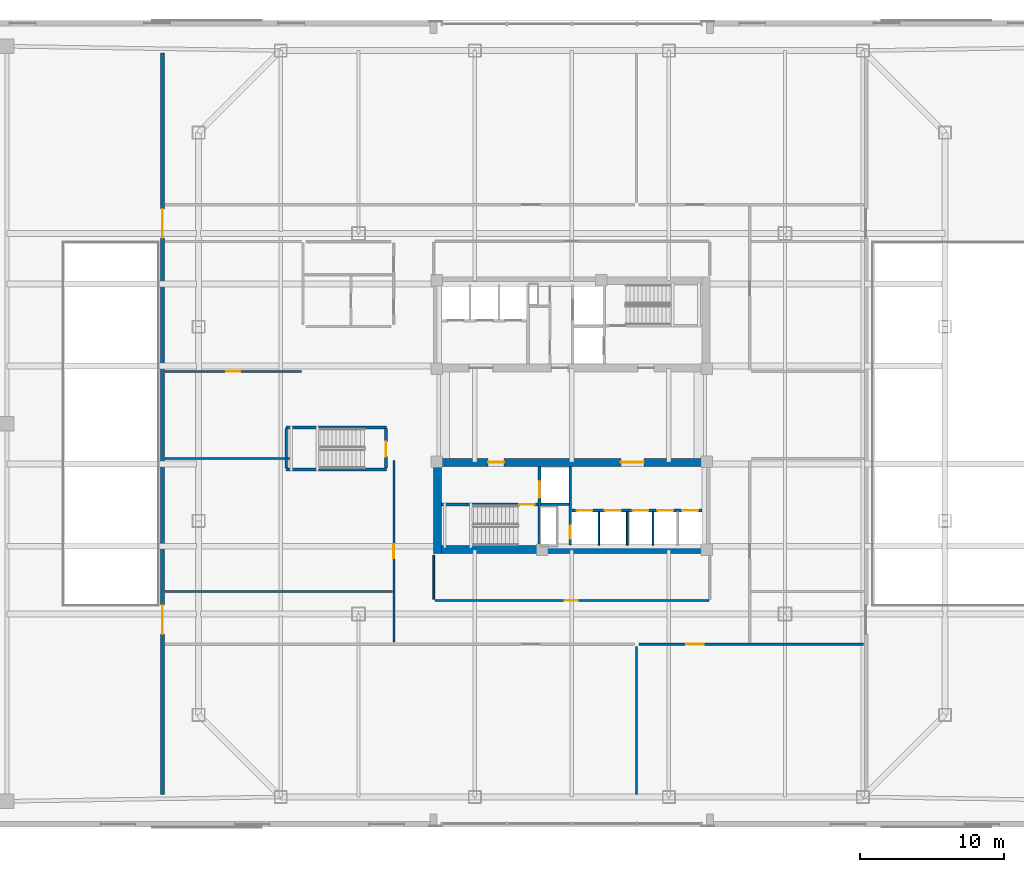
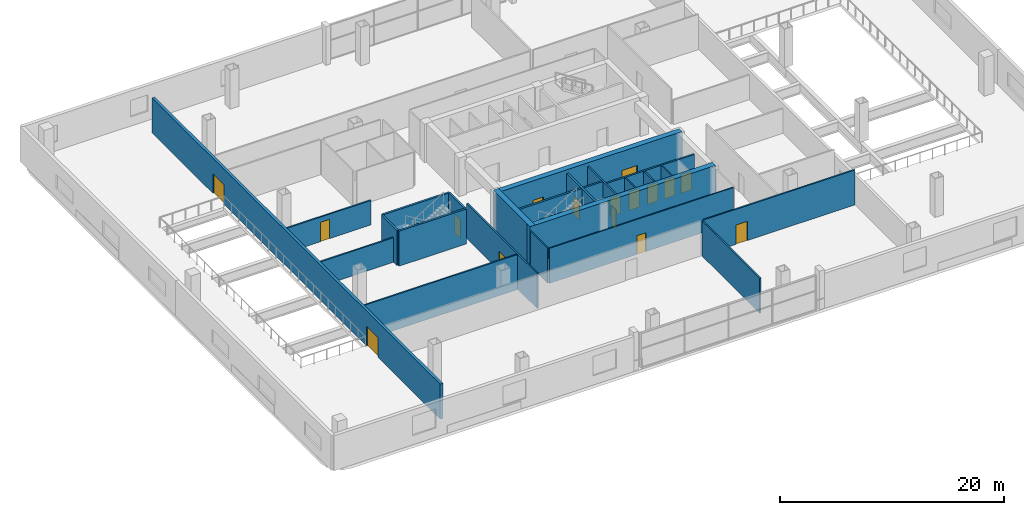
# One storey, part 12 of 21: 24 walls, 17 doors, 17 openings.
"""IFC4 building model written with IfcOpenShell, lengths in metres."""

from ifc_helpers import new_model, si_unit, direction, frame, frame_2d, origin, place, context, subcontext, project, spatial, rectangle, extrude, material, layer, layer_set, type_object, element, fill, save


model = new_model("IFC4")

# Units and contexts
model_context = context("Model", 3, precision=1e-05, world=origin(), true_north=direction((0.0, 1.0)))
body_context = subcontext(model_context, "Body", "Model", "MODEL_VIEW")
ifc_project = project(units=[si_unit("LENGTHUNIT", "METRE"), si_unit("AREAUNIT", "SQUARE_METRE"), si_unit("VOLUMEUNIT", "CUBIC_METRE"), si_unit("PLANEANGLEUNIT", "RADIAN"), si_unit("MASSUNIT", "GRAM", prefix="KILO")], contexts=[model_context])

# Site, building, storey
site_placement = place(None, origin())
site = spatial("IfcSite", under=ifc_project, at=site_placement, CompositionType="ELEMENT")
building_placement = place(site_placement, origin())
building = spatial("IfcBuilding", under=site, at=building_placement, Name="Qhalaya Broadcast Tower", CompositionType="ELEMENT")
storey_placement = place(building_placement, frame((0.0, 0.0, 17.699951171875)))
storey = spatial("IfcBuildingStorey", under=building, at=storey_placement, Name="L04", CompositionType="ELEMENT", Elevation=17.699951171875)

# Wall, opening, door
ifc_material_1 = material(Name="Gypsum Acoustic Partition")
ifc_layer_1 = layer(ifc_material_1, 0.14990234375, Name="Gypsum Acoustic Partition")
ifc_layer_set_1 = layer_set([ifc_layer_1], Name="Gypsum Acoustic Partition")
wall_type_1 = type_object("IfcWallType", Name="Corridor & Tenancy Acoustic Partition 150", PredefinedType="PARTITIONING", material=ifc_layer_set_1)
wall_1_placement = place(storey_placement, frame((4.659912109375, -15.300048828125, 0.0), z_axis=(0.0, 0.0, 1.0), x_axis=(1.0, 0.0, 0.0)))
wall_1 = element("IfcWall", 1, at=wall_1_placement, inside=storey, type_object=wall_type_1, Name="L04 Partition Wall W-STS1R", PredefinedType="PARTITIONING", context=body_context, shape_type="SweptSolid", body=[
    extrude(rectangle(XDim=15.580078125, YDim=0.14990234375, at=frame_2d((7.7900390625, 0.0))), origin(), (0.0, 0.0, 1.0), 3.820068359375),
])
opening_1_placement = place(wall_1_placement, frame((3.294921875, 0.0, 0.0)))
opening_1 = element("IfcOpeningElement", 2, at=opening_1_placement, cuts=wall_1, Name="Opening D11", PredefinedType="OPENING", context=body_context, shape_type="SweptSolid", body=[
    extrude(rectangle(XDim=1.199951171875, YDim=2.10009765625, at=frame_2d((0.60009765625, 1.050048828125))), frame((0.0, 0.0869140625, 0.0), z_axis=(0.0, -1.0, 0.0), x_axis=(1.0, 0.0, 0.0)), (0.0, 0.0, 1.0), 0.173828125),
])
ifc_material_2 = material(Name="Anodised Aluminium Glazed Door", Category="aluminium")
door_type_1 = type_object("IfcDoorType", Name="Conference, Boardroom & Studio Control Door D11", OperationType="NOTDEFINED", PredefinedType="DOOR", material=ifc_material_2)
door_1_placement = place(opening_1_placement, origin())
door_1 = element("IfcDoor", 3, at=door_1_placement, inside=storey, type_object=door_type_1, Name="L04 Door D-STS2", OperationType="SINGLE_SWING_LEFT", OverallHeight=2.10009765625, OverallWidth=1.199951171875, PredefinedType="DOOR", context=body_context, shape_type="SweptSolid", body=[
    extrude(rectangle(XDim=1.199951171875, YDim=2.10009765625, at=frame_2d((0.60009765625, 1.050048828125))), frame((0.0, 0.02490234375, 0.0), z_axis=(0.0, -1.0, 0.0), x_axis=(1.0, 0.0, 0.0)), (0.0, 0.0, 1.0), 0.050048828125),
])
fill(opening_1, door_1)

# Wall
wall_2_placement = place(storey_placement, frame((4.5, -25.739990234375, 0.0), z_axis=(0.0, 0.0, 1.0), x_axis=(0.0, 1.0, 0.0)))
element("IfcWall", 4, at=wall_2_placement, inside=storey, type_object=wall_type_1, Name="L04 Partition Wall W-STMS", PredefinedType="PARTITIONING", context=body_context, shape_type="SweptSolid", body=[
    extrude(rectangle(XDim=10.280029296875, YDim=0.14990234375, at=frame_2d((5.14013671875, 0.0))), origin(), (0.0, 0.0, 1.0), 3.820068359375),
])

# Wall, opening, door
wall_3_placement = place(storey_placement, frame((-12.35009765625, -15.139892578125, 0.0), z_axis=(0.0, 0.0, 1.0), x_axis=(0.0, 1.0, 0.0)))
wall_3 = element("IfcWall", 5, at=wall_3_placement, inside=storey, type_object=wall_type_1, Name="L04 Partition Wall W-STPW", PredefinedType="PARTITIONING", context=body_context, shape_type="SweptSolid", body=[
    extrude(rectangle(XDim=12.579833984375, YDim=0.14990234375, at=frame_2d((6.2900390625, 0.0))), origin(), (0.0, 0.0, 1.0), 3.820068359375),
])
opening_2_placement = place(wall_3_placement, frame((5.81494140625, 0.0, 0.0)))
opening_2 = element("IfcOpeningElement", 6, at=opening_2_placement, cuts=wall_3, Name="Opening D10", PredefinedType="OPENING", context=body_context, shape_type="SweptSolid", body=[
    extrude(rectangle(XDim=0.949951171875, YDim=2.10009765625, at=frame_2d((0.47509765625, 1.050048828125))), frame((0.0, 0.0869140625, 0.0), z_axis=(0.0, -1.0, 0.0), x_axis=(1.0, 0.0, 0.0)), (0.0, 0.0, 1.0), 0.173828125),
])
ifc_material_3 = material(Name="Timber Veneer Acoustic Door", Category="wood")
door_type_2 = type_object("IfcDoorType", Name="Cellular Office & Edit Booth Door D10", OperationType="NOTDEFINED", PredefinedType="DOOR", material=ifc_material_3)
door_2_placement = place(opening_2_placement, origin())
door_2 = element("IfcDoor", 7, at=door_2_placement, inside=storey, type_object=door_type_2, Name="L04 Door D-STPW", OperationType="SINGLE_SWING_LEFT", OverallHeight=2.10009765625, OverallWidth=0.949951171875, PredefinedType="DOOR", context=body_context, shape_type="SweptSolid", body=[
    extrude(rectangle(XDim=0.949951171875, YDim=2.10009765625, at=frame_2d((0.47509765625, 1.050048828125))), frame((0.0, 0.02490234375, 0.0), z_axis=(0.0, -1.0, 0.0), x_axis=(1.0, 0.0, 0.0)), (0.0, 0.0, 1.0), 0.050048828125),
])
fill(opening_2, door_2)

# Walls
wall_4_placement = place(storey_placement, frame((-28.239990234375, -2.419921875, 0.0), z_axis=(0.0, 0.0, 1.0), x_axis=(1.0, 0.0, 0.0)))
element("IfcWall", 8, at=wall_4_placement, inside=storey, type_object=wall_type_1, Name="L04 Partition Wall W-STPW2", PredefinedType="PARTITIONING", context=body_context, shape_type="SweptSolid", body=[
    extrude(rectangle(XDim=8.72998046875, YDim=0.14990234375, at=frame_2d((4.364990234375, 0.0))), origin(), (0.0, 0.0, 1.0), 2.68212890625),
])
wall_5_placement = place(storey_placement, frame((-28.239990234375, -11.64990234375, 0.0), z_axis=(0.0, 0.0, 1.0), x_axis=(1.0, 0.0, 0.0)))
element("IfcWall", 9, at=wall_5_placement, inside=storey, type_object=wall_type_1, Name="L04 Partition Wall W-GAL-SW", PredefinedType="PARTITIONING", context=body_context, shape_type="SweptSolid", body=[
    extrude(rectangle(XDim=15.780029296875, YDim=0.14990234375, at=frame_2d((7.89013671875, 0.0))), origin(), (0.0, 0.0, 1.0), 3.820068359375),
])

# Wall, opening, door
wall_6_placement = place(storey_placement, frame((-28.239990234375, 3.6201171875, 0.0), z_axis=(0.0, 0.0, 1.0), x_axis=(1.0, 0.0, 0.0)))
wall_6 = element("IfcWall", 10, at=wall_6_placement, inside=storey, type_object=wall_type_1, Name="L04 Partition Wall W-STPW3", PredefinedType="PARTITIONING", context=body_context, shape_type="SweptSolid", body=[
    extrude(rectangle(XDim=9.47998046875, YDim=0.14990234375, at=frame_2d((4.739990234375, 0.0))), origin(), (0.0, 0.0, 1.0), 2.68212890625),
])
opening_3_placement = place(wall_6_placement, frame((4.264892578125, 0.0, 0.0)))
opening_3 = element("IfcOpeningElement", 11, at=opening_3_placement, cuts=wall_6, Name="Opening D10", PredefinedType="OPENING", context=body_context, shape_type="SweptSolid", body=[
    extrude(rectangle(XDim=0.949951171875, YDim=2.10009765625, at=frame_2d((0.47509765625, 1.050048828125))), frame((0.0, 0.0869140625, 0.0), z_axis=(0.0, -1.0, 0.0), x_axis=(1.0, 0.0, 0.0)), (0.0, 0.0, 1.0), 0.173828125),
])
door_3_placement = place(opening_3_placement, origin())
door_3 = element("IfcDoor", 12, at=door_3_placement, inside=storey, type_object=door_type_2, Name="L04 Door D-STPW3", OperationType="SINGLE_SWING_RIGHT", OverallHeight=2.10009765625, OverallWidth=0.949951171875, PredefinedType="DOOR", context=body_context, shape_type="SweptSolid", body=[
    extrude(rectangle(XDim=0.949951171875, YDim=2.10009765625, at=frame_2d((0.47509765625, 1.050048828125))), frame((0.0, 0.02490234375, 0.0), z_axis=(0.0, -1.0, 0.0), x_axis=(1.0, 0.0, 0.0)), (0.0, 0.0, 1.0), 0.050048828125),
])
fill(opening_3, door_3)

# Wall, openings, doors
ifc_layer_2 = layer(ifc_material_1, 0.280029296875, Name="Gypsum Acoustic Partition")
ifc_layer_set_2 = layer_set([ifc_layer_2], Name="Gypsum Acoustic Partition")
wall_type_2 = type_object("IfcWallType", Name="Double-Leaf Soundstage Acoustic Wall 280", PredefinedType="MOVABLE", material=ifc_layer_set_2)
wall_7_placement = place(storey_placement, frame((-28.39990234375, -25.739990234375, 0.0), z_axis=(0.0, 0.0, 1.0), x_axis=(0.0, 1.0, 0.0)))
wall_7 = element("IfcWall", 13, at=wall_7_placement, inside=storey, type_object=wall_type_2, Name="L04 Partition Wall W-STAW", PredefinedType="MOVABLE", context=body_context, shape_type="SweptSolid", body=[
    extrude(rectangle(XDim=51.47998046875, YDim=0.280029296875, at=frame_2d((25.739990234375, 0.0))), origin(), (0.0, 0.0, 1.0), 3.820068359375),
])
opening_4_placement = place(wall_7_placement, frame((11.14892578125, 0.0, 0.0)))
opening_4 = element("IfcOpeningElement", 14, at=opening_4_placement, cuts=wall_7, Name="Opening D08", PredefinedType="OPENING", context=body_context, shape_type="SweptSolid", body=[
    extrude(rectangle(XDim=2.0, YDim=2.139892578125, at=frame_2d((1.0, 1.06982421875))), frame((0.0, 0.152099609375, 0.0), z_axis=(0.0, -1.0, 0.0), x_axis=(1.0, 0.0, 0.0)), (0.0, 0.0, 1.0), 0.303955078125),
])
opening_5_placement = place(wall_7_placement, frame((38.639892578125, 0.0, 0.0)))
opening_5 = element("IfcOpeningElement", 15, at=opening_5_placement, cuts=wall_7, Name="Opening D08", PredefinedType="OPENING", context=body_context, shape_type="SweptSolid", body=[
    extrude(rectangle(XDim=2.0, YDim=2.139892578125, at=frame_2d((1.0, 1.06982421875))), frame((0.0, 0.152099609375, 0.0), z_axis=(0.0, -1.0, 0.0), x_axis=(1.0, 0.0, 0.0)), (0.0, 0.0, 1.0), 0.303955078125),
])
ifc_material_4 = material(Name="Acoustic Studio Isolation Steel Door", Category="steel")
door_type_3 = type_object("IfcDoorType", Name="Soundstage Acoustic Isolation Double Door D08", OperationType="DOUBLE_DOOR_SINGLE_SWING", PredefinedType="DOOR", material=ifc_material_4)
door_4_placement = place(opening_4_placement, origin())
door_4 = element("IfcDoor", 16, at=door_4_placement, inside=storey, type_object=door_type_3, Name="L04 Door D-STA1S", OperationType="DOUBLE_DOOR_SINGLE_SWING", OverallHeight=2.139892578125, OverallWidth=2.0, PredefinedType="DOOR", context=body_context, shape_type="SweptSolid", body=[
    extrude(rectangle(XDim=2.0, YDim=2.139892578125, at=frame_2d((1.0, 1.06982421875))), frame((0.0, 0.02490234375, 0.0), z_axis=(0.0, -1.0, 0.0), x_axis=(1.0, 0.0, 0.0)), (0.0, 0.0, 1.0), 0.050048828125),
])
fill(opening_4, door_4)
door_5_placement = place(opening_5_placement, origin())
door_5 = element("IfcDoor", 17, at=door_5_placement, inside=storey, type_object=door_type_3, Name="L04 Door D-STA1N", OperationType="DOUBLE_DOOR_SINGLE_SWING", OverallHeight=2.139892578125, OverallWidth=2.0, PredefinedType="DOOR", context=body_context, shape_type="SweptSolid", body=[
    extrude(rectangle(XDim=2.0, YDim=2.139892578125, at=frame_2d((1.0, 1.06982421875))), frame((0.0, 0.02490234375, 0.0), z_axis=(0.0, -1.0, 0.0), x_axis=(1.0, 0.0, 0.0)), (0.0, 0.0, 1.0), 0.050048828125),
])
fill(opening_5, door_5)

# Wall, opening, door
ifc_material_5 = material(Name="Concrete C50/60", Category="concrete")
ifc_layer_3 = layer(ifc_material_5, 0.199951171875, Name="Concrete C50/60")
ifc_layer_set_3 = layer_set([ifc_layer_3], Name="Concrete C50/60")
wall_type_3 = type_object("IfcWallType", Name="Load-Bearing Stair Shaft Wall 200", PredefinedType="SHEAR", material=ifc_layer_set_3)
wall_8_placement = place(storey_placement, frame((-9.030029296875, -5.60498046875, 0.0), z_axis=(0.0, 0.0, 1.0), x_axis=(1.0, 0.0, 0.0)))
wall_8 = element("IfcWall", 18, at=wall_8_placement, inside=storey, type_object=wall_type_3, Name="L04 Stair Core Shear Wall SCW-ST2", PredefinedType="SHEAR", context=body_context, shape_type="SweptSolid", body=[
    extrude(rectangle(XDim=6.669921875, YDim=0.199951171875, at=frame_2d((3.3349609375, 0.0))), origin(), (0.0, 0.0, 1.0), 3.820068359375),
])
opening_6_placement = place(wall_8_placement, frame((5.39990234375, 0.0, 0.0)))
opening_6 = element("IfcOpeningElement", 19, at=opening_6_placement, cuts=wall_8, Name="Opening D03", PredefinedType="OPENING", context=body_context, shape_type="SweptSolid", body=[
    extrude(rectangle(XDim=1.050048828125, YDim=2.080078125, at=frame_2d((0.52490234375, 1.0400390625))), frame((0.0, 0.112060546875, 0.0), z_axis=(0.0, -1.0, 0.0), x_axis=(1.0, 0.0, 0.0)), (0.0, 0.0, 1.0), 0.223876953125),
])
ifc_material_6 = material(Name="Fire-Rated Steel Door", Category="steel")
door_type_4 = type_object("IfcDoorType", Name="Core Stair Protected Fire Door D03", OperationType="NOTDEFINED", PredefinedType="DOOR", material=ifc_material_6)
door_6_placement = place(opening_6_placement, origin())
door_6 = element("IfcDoor", 20, at=door_6_placement, inside=storey, type_object=door_type_4, Name="L04 Door D-SST2", OperationType="SINGLE_SWING_RIGHT", OverallHeight=2.080078125, OverallWidth=1.050048828125, PredefinedType="DOOR", context=body_context, shape_type="SweptSolid", body=[
    extrude(rectangle(XDim=1.050048828125, YDim=2.080078125, at=frame_2d((0.52490234375, 1.0400390625))), frame((0.0, 0.02490234375, 0.0), z_axis=(0.0, -1.0, 0.0), x_axis=(1.0, 0.0, 0.0)), (0.0, 0.0, 1.0), 0.050048828125),
])
fill(opening_6, door_6)

wall_9_placement = place(storey_placement, frame((-2.25, -8.429931640625, 0.0), z_axis=(0.0, 0.0, 1.0), x_axis=(0.0, 1.0, 0.0)))
wall_9 = element("IfcWall", 21, at=wall_9_placement, inside=storey, type_object=wall_type_3, Name="L04 Stair Core Shear Wall SCW-FF", PredefinedType="SHEAR", context=body_context, shape_type="SweptSolid", body=[
    extrude(rectangle(XDim=5.4599609375, YDim=0.199951171875, at=frame_2d((2.72998046875, 0.0))), origin(), (0.0, 0.0, 1.0), 3.820068359375),
])
opening_7_placement = place(wall_9_placement, frame((3.300048828125, 0.0, 0.0)))
opening_7 = element("IfcOpeningElement", 22, at=opening_7_placement, cuts=wall_9, Name="Opening LD2", PredefinedType="OPENING", context=body_context, shape_type="SweptSolid", body=[
    extrude(rectangle(XDim=1.14990234375, YDim=2.080078125, at=frame_2d((0.574951171875, 1.0400390625))), frame((0.0, 0.112060546875, 0.0), z_axis=(0.0, -1.0, 0.0), x_axis=(1.0, 0.0, 0.0)), (0.0, 0.0, 1.0), 0.223876953125),
])
ifc_material_7 = material(Name="Brushed Stainless Steel Lift Door", Category="steel")
door_type_5 = type_object("IfcDoorType", Name="Firefighting Lift Sliding Landing Door LD2", OperationType="DOUBLE_DOOR_SLIDING", PredefinedType="DOOR", material=ifc_material_7)
door_7_placement = place(opening_7_placement, origin())
door_7 = element("IfcDoor", 23, at=door_7_placement, inside=storey, type_object=door_type_5, Name="L04 Door LD-FF2", OperationType="DOUBLE_DOOR_SLIDING", OverallHeight=2.080078125, OverallWidth=1.14990234375, PredefinedType="DOOR", context=body_context, shape_type="SweptSolid", body=[
    extrude(rectangle(XDim=1.14990234375, YDim=2.080078125, at=frame_2d((0.574951171875, 1.0400390625))), frame((0.0, 0.02490234375, 0.0), z_axis=(0.0, -1.0, 0.0), x_axis=(1.0, 0.0, 0.0)), (0.0, 0.0, 1.0), 0.050048828125),
])
fill(opening_7, door_7)

# Walls
for number, where, z_axis, x_axis, name in (
    (24, (-19.830078125, -0.25, 0.0), (0.0, 0.0, 1.0), (1.0, 0.0, 0.0), "L04 Stair Core Shear Wall W-STP1N"),
    (25, (-19.830078125, -3.179931640625, 0.0), (0.0, 0.0, 1.0), (1.0, 0.0, 0.0), "L04 Stair Core Shear Wall W-STP1S"),
):
    element("IfcWall", number, at=place(storey_placement, frame(where, z_axis=z_axis, x_axis=x_axis)), inside=storey, type_object=wall_type_3, Name=name, PredefinedType="SHEAR", context=body_context, shape_type="SweptSolid", body=[
        extrude(rectangle(XDim=6.9599609375, YDim=0.199951171875, at=frame_2d((3.47998046875, 0.0))), origin(), (0.0, 0.0, 1.0), 3.820068359375),
    ])

# Wall, opening, door
wall_10_placement = place(storey_placement, frame((-12.89990234375, -0.340087890625, 0.0), z_axis=(0.0, 0.0, 1.0), x_axis=(0.0, -1.0, 0.0)))
wall_10 = element("IfcWall", 26, at=wall_10_placement, inside=storey, type_object=wall_type_3, Name="L04 Stair Core Shear Wall W-STP1E", PredefinedType="SHEAR", context=body_context, shape_type="SweptSolid", body=[
    extrude(rectangle(XDim=2.739990234375, YDim=0.199951171875, at=frame_2d((1.3701171875, 0.0))), origin(), (0.0, 0.0, 1.0), 3.820068359375),
])
opening_8_placement = place(wall_10_placement, frame((0.89501953125, 0.0, 0.0)))
opening_8 = element("IfcOpeningElement", 27, at=opening_8_placement, cuts=wall_10, Name="Opening D03", PredefinedType="OPENING", context=body_context, shape_type="SweptSolid", body=[
    extrude(rectangle(XDim=1.050048828125, YDim=2.080078125, at=frame_2d((0.52490234375, 1.0400390625))), frame((0.0, 0.112060546875, 0.0), z_axis=(0.0, -1.0, 0.0), x_axis=(1.0, 0.0, 0.0)), (0.0, 0.0, 1.0), 0.223876953125),
])
door_8_placement = place(opening_8_placement, origin())
door_8 = element("IfcDoor", 28, at=door_8_placement, inside=storey, type_object=door_type_4, Name="L04 Door D-STP1", OperationType="SINGLE_SWING_LEFT", OverallHeight=2.080078125, OverallWidth=1.050048828125, PredefinedType="DOOR", context=body_context, shape_type="SweptSolid", body=[
    extrude(rectangle(XDim=1.050048828125, YDim=2.080078125, at=frame_2d((0.52490234375, 1.0400390625))), frame((0.0, 0.02490234375, 0.0), z_axis=(0.0, -1.0, 0.0), x_axis=(1.0, 0.0, 0.0)), (0.0, 0.0, 1.0), 0.050048828125),
])
fill(opening_8, door_8)

# Walls
wall_11_placement = place(storey_placement, frame((-19.820068359375, -3.080078125, 0.0), z_axis=(0.0, 0.0, 1.0), x_axis=(0.0, 1.0, 0.0)))
element("IfcWall", 29, at=wall_11_placement, inside=storey, type_object=wall_type_3, Name="L04 Stair Core Shear Wall W-STP1W", PredefinedType="SHEAR", context=body_context, shape_type="SweptSolid", body=[
    extrude(rectangle(XDim=2.739990234375, YDim=0.199951171875, at=frame_2d((1.3701171875, 0.0))), origin(), (0.0, 0.0, 1.0), 3.820068359375),
])
ifc_material_8 = material(Name="Concrete C60/75", Category="concrete")
ifc_layer_4 = layer(ifc_material_8, 0.550048828125, Name="Concrete C60/75")
ifc_layer_set_4 = layer_set([ifc_layer_4], Name="Concrete C60/75")
wall_type_4 = type_object("IfcWallType", Name="Lower Split-Core Shear Wall 550", PredefinedType="SHEAR", material=ifc_layer_set_4)
wall_12_placement = place(storey_placement, frame((-9.60009765625, -8.72509765625, 0.0), z_axis=(0.0, 0.0, 1.0), x_axis=(1.0, 0.0, 0.0)))
element("IfcWall", 30, at=wall_12_placement, inside=storey, type_object=wall_type_4, Name="L04 Split-Core Shear Wall CW-SS", PredefinedType="SHEAR", context=body_context, shape_type="SweptSolid", body=[
    extrude(rectangle(XDim=19.2001953125, YDim=0.550048828125, at=frame_2d((9.60009765625, 0.0))), origin(), (0.0, 0.0, 1.0), 4.199951171875),
])

# Wall, openings, doors
wall_13_placement = place(storey_placement, frame((-9.60009765625, -2.675048828125, 0.0), z_axis=(0.0, 0.0, 1.0), x_axis=(1.0, 0.0, 0.0)))
wall_13 = element("IfcWall", 31, at=wall_13_placement, inside=storey, type_object=wall_type_4, Name="L04 Split-Core Shear Wall CW-SN", PredefinedType="SHEAR", context=body_context, shape_type="SweptSolid", body=[
    extrude(rectangle(XDim=19.2001953125, YDim=0.550048828125, at=frame_2d((9.60009765625, 0.0))), origin(), (0.0, 0.0, 1.0), 4.199951171875),
])
opening_9_placement = place(wall_13_placement, frame((3.800048828125, 0.0, 0.0)))
opening_9 = element("IfcOpeningElement", 32, at=opening_9_placement, cuts=wall_13, Name="Opening D04", PredefinedType="OPENING", context=body_context, shape_type="SweptSolid", body=[
    extrude(rectangle(XDim=1.10009765625, YDim=2.080078125, at=frame_2d((0.550048828125, 1.0400390625))), frame((0.0, 0.287109375, 0.0), z_axis=(0.0, -1.0, 0.0), x_axis=(1.0, 0.0, 0.0)), (0.0, 0.0, 1.0), 0.573974609375),
])
opening_10_placement = place(wall_13_placement, frame((13.0, 0.0, 0.0)))
opening_10 = element("IfcOpeningElement", 33, at=opening_10_placement, cuts=wall_13, Name="Opening D07", PredefinedType="OPENING", context=body_context, shape_type="SweptSolid", body=[
    extrude(rectangle(XDim=1.60009765625, YDim=2.1201171875, at=frame_2d((0.800048828125, 1.06005859375))), frame((0.0, 0.287109375, 0.0), z_axis=(0.0, -1.0, 0.0), x_axis=(1.0, 0.0, 0.0)), (0.0, 0.0, 1.0), 0.573974609375),
])
door_type_6 = type_object("IfcDoorType", Name="Firefighting Lobby Rated Door D04", OperationType="NOTDEFINED", PredefinedType="DOOR", material=ifc_material_6)
door_9_placement = place(opening_9_placement, origin())
door_9 = element("IfcDoor", 34, at=door_9_placement, inside=storey, type_object=door_type_6, Name="L04 Door D-SFF", OperationType="SINGLE_SWING_LEFT", OverallHeight=2.080078125, OverallWidth=1.10009765625, PredefinedType="DOOR", context=body_context, shape_type="SweptSolid", body=[
    extrude(rectangle(XDim=1.10009765625, YDim=2.080078125, at=frame_2d((0.550048828125, 1.0400390625))), frame((0.0, 0.02490234375, 0.0), z_axis=(0.0, -1.0, 0.0), x_axis=(1.0, 0.0, 0.0)), (0.0, 0.0, 1.0), 0.050048828125),
])
fill(opening_9, door_9)
door_type_7 = type_object("IfcDoorType", Name="Passenger Lift Lobby Double Glazed Door D07", OperationType="DOUBLE_DOOR_SINGLE_SWING", PredefinedType="DOOR", material=ifc_material_2)
door_10_placement = place(opening_10_placement, origin())
door_10 = element("IfcDoor", 35, at=door_10_placement, inside=storey, type_object=door_type_7, Name="L04 Door D-SPLL", OperationType="DOUBLE_DOOR_SINGLE_SWING", OverallHeight=2.1201171875, OverallWidth=1.60009765625, PredefinedType="DOOR", context=body_context, shape_type="SweptSolid", body=[
    extrude(rectangle(XDim=1.60009765625, YDim=2.1201171875, at=frame_2d((0.800048828125, 1.06005859375))), frame((0.0, 0.02490234375, 0.0), z_axis=(0.0, -1.0, 0.0), x_axis=(1.0, 0.0, 0.0)), (0.0, 0.0, 1.0), 0.050048828125),
])
fill(opening_10, door_10)

# Walls
wall_14_placement = place(storey_placement, frame((-9.324951171875, -9.0, 0.0), z_axis=(0.0, 0.0, 1.0), x_axis=(0.0, 1.0, 0.0)))
element("IfcWall", 36, at=wall_14_placement, inside=storey, type_object=wall_type_4, Name="L04 Split-Core Shear Wall CW-SW", PredefinedType="SHEAR", context=body_context, shape_type="SweptSolid", body=[
    extrude(rectangle(XDim=6.60009765625, YDim=0.550048828125, at=frame_2d((3.300048828125, 0.0))), origin(), (0.0, 0.0, 1.0), 4.199951171875),
])
ifc_layer_5 = layer(ifc_material_1, 0.1201171875, Name="Gypsum Acoustic Partition")
ifc_layer_set_5 = layer_set([ifc_layer_5], Name="Gypsum Acoustic Partition")
wall_type_5 = type_object("IfcWallType", Name="Office, Booth & Sanitary Partition 120", PredefinedType="PARTITIONING", material=ifc_layer_set_5)
for number, where, z_axis, x_axis, name in (
    (37, (1.8798828125, -8.429931640625, 0.0), (0.0, 0.0, 1.0), (0.0, 1.0, 0.0), "L04 Partition Wall SCW-MD4"),
    (38, (3.85009765625, -8.429931640625, 0.0), (0.0, 0.0, 1.0), (0.0, 1.0, 0.0), "L04 Partition Wall SCW-MD5"),
    (39, (5.639892578125, -8.429931640625, 0.0), (0.0, 0.0, 1.0), (0.0, 1.0, 0.0), "L04 Partition Wall SCW-HD6"),
):
    element("IfcWall", number, at=place(storey_placement, frame(where, z_axis=z_axis, x_axis=x_axis)), inside=storey, type_object=wall_type_5, Name=name, PredefinedType="PARTITIONING", context=body_context, shape_type="SweptSolid", body=[
        extrude(rectangle(XDim=2.329833984375, YDim=0.1201171875, at=frame_2d((1.1650390625, 0.0))), origin(), (0.0, 0.0, 1.0), 3.820068359375),
    ])

# Wall, opening, door
wall_15_placement = place(storey_placement, frame((-9.489990234375, -12.260009765625, 0.0), z_axis=(0.0, 0.0, 1.0), x_axis=(1.0, 0.0, 0.0)))
wall_15 = element("IfcWall", 40, at=wall_15_placement, inside=storey, type_object=wall_type_5, Name="L04 Partition Wall W-PCSHS", PredefinedType="PARTITIONING", context=body_context, shape_type="SweptSolid", body=[
    extrude(rectangle(XDim=18.97998046875, YDim=0.1201171875, at=frame_2d((9.489990234375, 0.0))), origin(), (0.0, 0.0, 1.0), 3.820068359375),
])
opening_11_placement = place(wall_15_placement, frame((9.014892578125, 0.0, 0.0)))
opening_11 = element("IfcOpeningElement", 41, at=opening_11_placement, cuts=wall_15, Name="Opening D06", PredefinedType="OPENING", context=body_context, shape_type="SweptSolid", body=[
    extrude(rectangle(XDim=0.89990234375, YDim=2.050048828125, at=frame_2d((0.449951171875, 1.02490234375))), frame((0.0, 0.072021484375, 0.0), z_axis=(0.0, -1.0, 0.0), x_axis=(1.0, 0.0, 0.0)), (0.0, 0.0, 1.0), 0.14404296875),
])
door_type_8 = type_object("IfcDoorType", Name="Riser & Electrical Shaft Access Door D06", OperationType="NOTDEFINED", PredefinedType="DOOR", material=ifc_material_6)
door_11_placement = place(opening_11_placement, origin())
door_11 = element("IfcDoor", 42, at=door_11_placement, inside=storey, type_object=door_type_8, Name="L04 Door D-PCSHS", OperationType="SINGLE_SWING_RIGHT", OverallHeight=2.050048828125, OverallWidth=0.89990234375, PredefinedType="DOOR", context=body_context, shape_type="SweptSolid", body=[
    extrude(rectangle(XDim=0.89990234375, YDim=2.050048828125, at=frame_2d((0.449951171875, 1.02490234375))), frame((0.0, 0.02490234375, 0.0), z_axis=(0.0, -1.0, 0.0), x_axis=(1.0, 0.0, 0.0)), (0.0, 0.0, 1.0), 0.050048828125),
])
fill(opening_11, door_11)

# Wall
wall_16_placement = place(storey_placement, frame((-9.580078125, -12.18994140625, 0.0), z_axis=(0.0, 0.0, 1.0), x_axis=(0.0, 1.0, 0.0)))
element("IfcWall", 43, at=wall_16_placement, inside=storey, type_object=wall_type_5, Name="L04 Partition Wall W-PCSHSW", PredefinedType="PARTITIONING", context=body_context, shape_type="SweptSolid", body=[
    extrude(rectangle(XDim=3.079833984375, YDim=0.1201171875, at=frame_2d((1.5400390625, 0.0))), origin(), (0.0, 0.0, 1.0), 3.820068359375),
])

# Wall, opening, door
ifc_layer_6 = layer(ifc_material_1, 0.175048828125, Name="Gypsum Acoustic Partition")
ifc_layer_set_6 = layer_set([ifc_layer_6], Name="Gypsum Acoustic Partition")
wall_type_6 = type_object("IfcWallType", Name="Shaft & Riser Fire Partition 175", PredefinedType="PARTITIONING", material=ifc_layer_set_6)
wall_17_placement = place(storey_placement, frame((-0.10009765625, -8.429931640625, 0.0), z_axis=(0.0, 0.0, 1.0), x_axis=(0.0, 1.0, 0.0)))
wall_17 = element("IfcWall", 44, at=wall_17_placement, inside=storey, type_object=wall_type_6, Name="L04 Partition Wall SCW-FFE", PredefinedType="PARTITIONING", context=body_context, shape_type="SweptSolid", body=[
    extrude(rectangle(XDim=5.4599609375, YDim=0.175048828125, at=frame_2d((2.72998046875, 0.0))), origin(), (0.0, 0.0, 1.0), 3.820068359375),
])
opening_12_placement = place(wall_17_placement, frame((0.449951171875, 0.0, 0.0)))
opening_12 = element("IfcOpeningElement", 45, at=opening_12_placement, cuts=wall_17, Name="Opening D06", PredefinedType="OPENING", context=body_context, shape_type="SweptSolid", body=[
    extrude(rectangle(XDim=0.89990234375, YDim=2.050048828125, at=frame_2d((0.449951171875, 1.02490234375))), frame((0.0, 0.099609375, 0.0), z_axis=(0.0, -1.0, 0.0), x_axis=(1.0, 0.0, 0.0)), (0.0, 0.0, 1.0), 0.198974609375),
])
door_12_placement = place(opening_12_placement, origin())
door_12 = element("IfcDoor", 46, at=door_12_placement, inside=storey, type_object=door_type_8, Name="L04 Riser Shaft Access Door D-SRSR", OperationType="SINGLE_SWING_LEFT", OverallHeight=2.050048828125, OverallWidth=0.89990234375, PredefinedType="DOOR", context=body_context, shape_type="SweptSolid", body=[
    extrude(rectangle(XDim=0.89990234375, YDim=2.050048828125, at=frame_2d((0.449951171875, 1.02490234375))), frame((0.0, 0.02490234375, 0.0), z_axis=(0.0, -1.0, 0.0), x_axis=(1.0, 0.0, 0.0)), (0.0, 0.0, 1.0), 0.050048828125),
])
fill(opening_12, door_12)

# Wall
wall_18_placement = place(storey_placement, frame((-2.14990234375, -5.60009765625, 0.0), z_axis=(0.0, 0.0, 1.0), x_axis=(1.0, 0.0, 0.0)))
element("IfcWall", 47, at=wall_18_placement, inside=storey, type_object=wall_type_6, Name="L04 Partition Wall SCW-FFM", PredefinedType="PARTITIONING", context=body_context, shape_type="SweptSolid", body=[
    extrude(rectangle(XDim=1.969970703125, YDim=0.175048828125, at=frame_2d((0.98486328125, 0.0))), origin(), (0.0, 0.0, 1.0), 3.820068359375),
])

# Wall, openings, doors
wall_19_placement = place(storey_placement, frame((0.0, -6.02001953125, 0.0), z_axis=(0.0, 0.0, 1.0), x_axis=(1.0, 0.0, 0.0)))
wall_19 = element("IfcWall", 48, at=wall_19_placement, inside=storey, type_object=wall_type_6, Name="L04 Partition Wall SCW-SLB", PredefinedType="PARTITIONING", context=body_context, shape_type="SweptSolid", body=[
    extrude(rectangle(XDim=9.030029296875, YDim=0.175048828125, at=frame_2d((4.51513671875, 0.0))), origin(), (0.0, 0.0, 1.0), 3.820068359375),
])
opening_13_placement = place(wall_19_placement, frame((0.330078125, 0.0, 0.0)))
opening_13 = element("IfcOpeningElement", 49, at=opening_13_placement, cuts=wall_19, Name="Opening LD1", PredefinedType="OPENING", context=body_context, shape_type="SweptSolid", body=[
    extrude(rectangle(XDim=1.10009765625, YDim=2.06005859375, at=frame_2d((0.550048828125, 1.030029296875))), frame((0.0, 0.099609375, 0.0), z_axis=(0.0, -1.0, 0.0), x_axis=(1.0, 0.0, 0.0)), (0.0, 0.0, 1.0), 0.198974609375),
])
opening_14_placement = place(wall_19_placement, frame((2.300048828125, 0.0, 0.0)))
opening_14 = element("IfcOpeningElement", 50, at=opening_14_placement, cuts=wall_19, Name="Opening LD1", PredefinedType="OPENING", context=body_context, shape_type="SweptSolid", body=[
    extrude(rectangle(XDim=1.10009765625, YDim=2.06005859375, at=frame_2d((0.550048828125, 1.030029296875))), frame((0.0, 0.099609375, 0.0), z_axis=(0.0, -1.0, 0.0), x_axis=(1.0, 0.0, 0.0)), (0.0, 0.0, 1.0), 0.198974609375),
])
opening_15_placement = place(wall_19_placement, frame((4.219970703125, 0.0, 0.0)))
opening_15 = element("IfcOpeningElement", 51, at=opening_15_placement, cuts=wall_19, Name="Opening LD1", PredefinedType="OPENING", context=body_context, shape_type="SweptSolid", body=[
    extrude(rectangle(XDim=1.10009765625, YDim=2.06005859375, at=frame_2d((0.550048828125, 1.030029296875))), frame((0.0, 0.099609375, 0.0), z_axis=(0.0, -1.0, 0.0), x_axis=(1.0, 0.0, 0.0)), (0.0, 0.0, 1.0), 0.198974609375),
])
opening_16_placement = place(wall_19_placement, frame((5.93994140625, 0.0, 0.0)))
opening_16 = element("IfcOpeningElement", 52, at=opening_16_placement, cuts=wall_19, Name="Opening LD1", PredefinedType="OPENING", context=body_context, shape_type="SweptSolid", body=[
    extrude(rectangle(XDim=1.10009765625, YDim=2.06005859375, at=frame_2d((0.550048828125, 1.030029296875))), frame((0.0, 0.099609375, 0.0), z_axis=(0.0, -1.0, 0.0), x_axis=(1.0, 0.0, 0.0)), (0.0, 0.0, 1.0), 0.198974609375),
])
opening_17_placement = place(wall_19_placement, frame((7.659912109375, 0.0, 0.0)))
opening_17 = element("IfcOpeningElement", 53, at=opening_17_placement, cuts=wall_19, Name="Opening LD1", PredefinedType="OPENING", context=body_context, shape_type="SweptSolid", body=[
    extrude(rectangle(XDim=1.10009765625, YDim=2.06005859375, at=frame_2d((0.550048828125, 1.030029296875))), frame((0.0, 0.099609375, 0.0), z_axis=(0.0, -1.0, 0.0), x_axis=(1.0, 0.0, 0.0)), (0.0, 0.0, 1.0), 0.198974609375),
])
door_type_9 = type_object("IfcDoorType", Name="Passenger Lift Sliding Landing Door LD1", OperationType="DOUBLE_DOOR_SLIDING", PredefinedType="DOOR", material=ifc_material_7)
door_13_placement = place(opening_13_placement, origin())
door_13 = element("IfcDoor", 54, at=door_13_placement, inside=storey, type_object=door_type_9, Name="L04 Door LD-P4", OperationType="DOUBLE_DOOR_SLIDING", OverallHeight=2.06005859375, OverallWidth=1.10009765625, PredefinedType="DOOR", context=body_context, shape_type="SweptSolid", body=[
    extrude(rectangle(XDim=1.10009765625, YDim=2.06005859375, at=frame_2d((0.550048828125, 1.030029296875))), frame((0.0, 0.02490234375, 0.0), z_axis=(0.0, -1.0, 0.0), x_axis=(1.0, 0.0, 0.0)), (0.0, 0.0, 1.0), 0.050048828125),
])
fill(opening_13, door_13)
door_14_placement = place(opening_14_placement, origin())
door_14 = element("IfcDoor", 55, at=door_14_placement, inside=storey, type_object=door_type_9, Name="L04 Door LD-P5", OperationType="DOUBLE_DOOR_SLIDING", OverallHeight=2.06005859375, OverallWidth=1.10009765625, PredefinedType="DOOR", context=body_context, shape_type="SweptSolid", body=[
    extrude(rectangle(XDim=1.10009765625, YDim=2.06005859375, at=frame_2d((0.550048828125, 1.030029296875))), frame((0.0, 0.02490234375, 0.0), z_axis=(0.0, -1.0, 0.0), x_axis=(1.0, 0.0, 0.0)), (0.0, 0.0, 1.0), 0.050048828125),
])
fill(opening_14, door_14)
door_15_placement = place(opening_15_placement, origin())
door_15 = element("IfcDoor", 56, at=door_15_placement, inside=storey, type_object=door_type_9, Name="L04 Door LD-P6", OperationType="DOUBLE_DOOR_SLIDING", OverallHeight=2.06005859375, OverallWidth=1.10009765625, PredefinedType="DOOR", context=body_context, shape_type="SweptSolid", body=[
    extrude(rectangle(XDim=1.10009765625, YDim=2.06005859375, at=frame_2d((0.550048828125, 1.030029296875))), frame((0.0, 0.02490234375, 0.0), z_axis=(0.0, -1.0, 0.0), x_axis=(1.0, 0.0, 0.0)), (0.0, 0.0, 1.0), 0.050048828125),
])
fill(opening_15, door_15)
door_16_placement = place(opening_16_placement, origin())
door_16 = element("IfcDoor", 57, at=door_16_placement, inside=storey, type_object=door_type_9, Name="L04 Door LD-P7", OperationType="DOUBLE_DOOR_SLIDING", OverallHeight=2.06005859375, OverallWidth=1.10009765625, PredefinedType="DOOR", context=body_context, shape_type="SweptSolid", body=[
    extrude(rectangle(XDim=1.10009765625, YDim=2.06005859375, at=frame_2d((0.550048828125, 1.030029296875))), frame((0.0, 0.02490234375, 0.0), z_axis=(0.0, -1.0, 0.0), x_axis=(1.0, 0.0, 0.0)), (0.0, 0.0, 1.0), 0.050048828125),
])
fill(opening_16, door_16)
door_17_placement = place(opening_17_placement, origin())
door_17 = element("IfcDoor", 58, at=door_17_placement, inside=storey, type_object=door_type_9, Name="L04 Door LD-P8", OperationType="DOUBLE_DOOR_SLIDING", OverallHeight=2.06005859375, OverallWidth=1.10009765625, PredefinedType="DOOR", context=body_context, shape_type="SweptSolid", body=[
    extrude(rectangle(XDim=1.10009765625, YDim=2.06005859375, at=frame_2d((0.550048828125, 1.030029296875))), frame((0.0, 0.02490234375, 0.0), z_axis=(0.0, -1.0, 0.0), x_axis=(1.0, 0.0, 0.0)), (0.0, 0.0, 1.0), 0.050048828125),
])
fill(opening_17, door_17)

save(model, "model.ifc")
